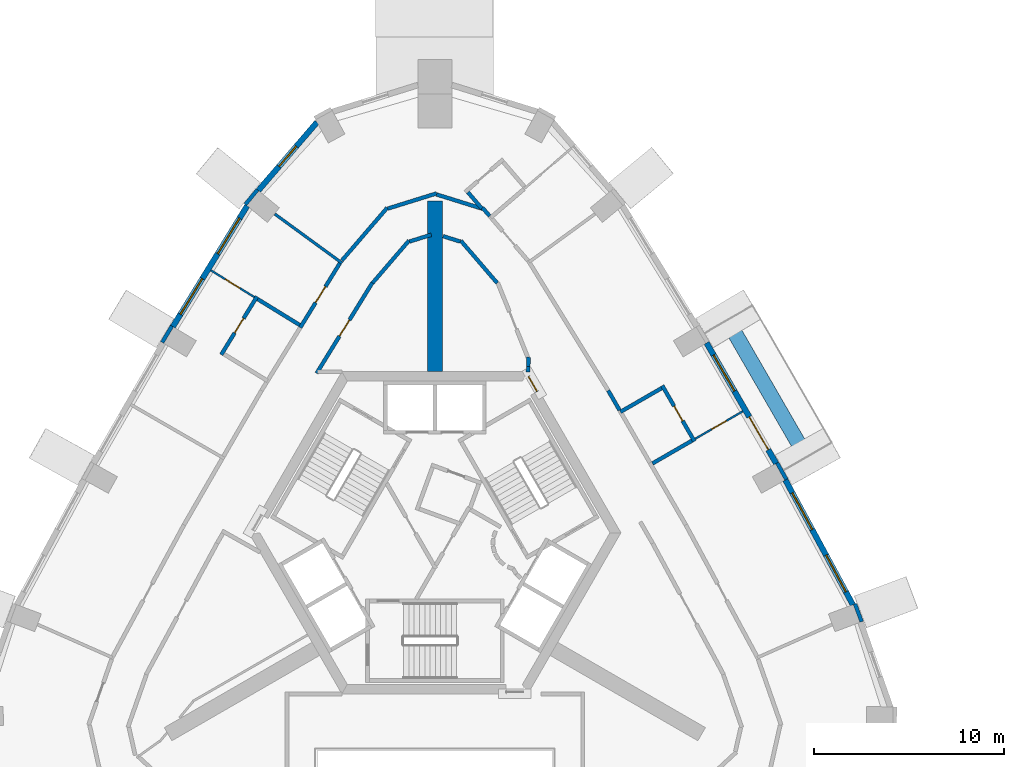
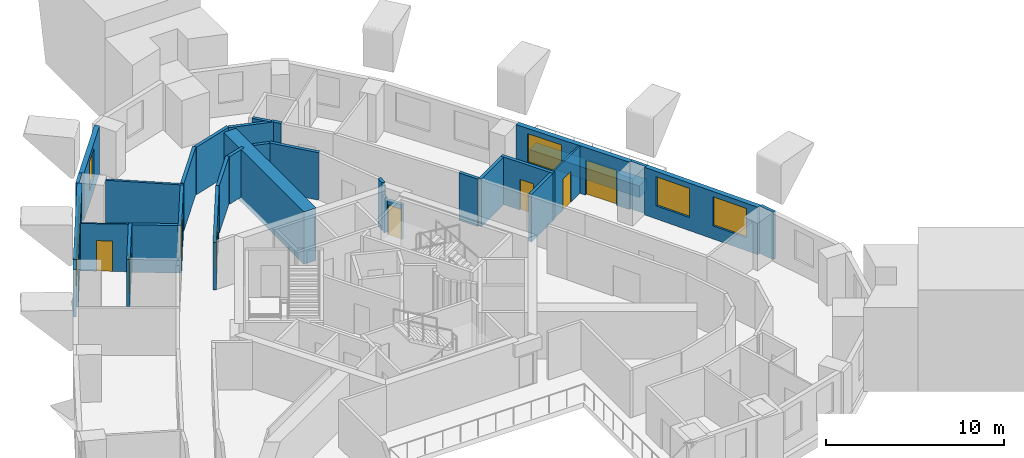
# One storey, part 7 of 11: 33 walls, 8 doors, 6 windows, 14 openings.
"""IFC4 building model written with IfcOpenShell, lengths in metres."""

from ifc_helpers import new_model, si_unit, direction, frame, frame_2d, origin, place, context, subcontext, project, spatial, rectangle, extrude, material, layer, layer_set, type_object, element, fill, save


model = new_model("IFC4")

# Units and contexts
model_context = context("Model", 3, precision=1e-05, world=origin(), true_north=direction((0.0, 1.0)))
body_context = subcontext(model_context, "Body", "Model", "MODEL_VIEW")
ifc_project = project(units=[si_unit("LENGTHUNIT", "METRE"), si_unit("AREAUNIT", "SQUARE_METRE"), si_unit("VOLUMEUNIT", "CUBIC_METRE"), si_unit("PLANEANGLEUNIT", "RADIAN"), si_unit("MASSUNIT", "GRAM", prefix="KILO")], contexts=[model_context])

# Site, building, storey
site_placement = place(None, origin())
site = spatial("IfcSite", under=ifc_project, at=site_placement, CompositionType="ELEMENT")
building_placement = place(site_placement, origin())
building = spatial("IfcBuilding", under=site, at=building_placement, Name="Entoto Arch Interchange Tower", CompositionType="ELEMENT")
storey_placement = place(building_placement, frame((0.0, 0.0, 318.800048828125)))
storey = spatial("IfcBuildingStorey", under=building, at=storey_placement, Name="L75", CompositionType="ELEMENT", Elevation=318.800048828125)

# Wall
ifc_material_1 = material(Name="Concrete C40/50", Category="concrete")
ifc_layer_1 = layer(ifc_material_1, 0.800048828125)
ifc_layer_set_1 = layer_set([ifc_layer_1], Name="Concrete C40/50")
wall_type_1 = type_object("IfcWallType", Name="Buttress wall 800 C40/50", PredefinedType="SHEAR", material=ifc_layer_set_1)
wall_1_placement = place(storey_placement, frame((0.0, 11.0, -0.340087890625), z_axis=(0.0, 0.0, 1.0), x_axis=(0.0, 1.0, 0.0)))
element("IfcWall", 1, at=wall_1_placement, inside=storey, type_object=wall_type_1, Name="Buttress wall N L75", PredefinedType="SHEAR", context=body_context, shape_type="SweptSolid", body=[
    extrude(rectangle(XDim=9.0, YDim=0.800048828125, at=frame_2d((4.5, 0.0))), origin(), (0.0, 0.0, 1.0), 3.60009765625),
])

# Wall, opening, door
ifc_material_2 = material(Name="Reinforced concrete C40/50", Category="concrete")
ifc_layer_2 = layer(ifc_material_2, 0.199951171875)
ifc_layer_set_2 = layer_set([ifc_layer_2], Name="Reinforced concrete C40/50")
wall_type_2 = type_object("IfcWallType", Name="CORE GAP INFILL WALL", PredefinedType="PARTITIONING", material=ifc_layer_set_2)
wall_2_placement = place(storey_placement, frame((5.39892578125, 9.947998046875, 0.0), z_axis=(0.0, 0.0, 1.0), x_axis=(-0.499882215713, 0.866093395895, 0.0)))
wall_2 = element("IfcWall", 2, at=wall_2_placement, inside=storey, type_object=wall_type_2, Name="wall:L75:gap2", PredefinedType="PARTITIONING", context=body_context, shape_type="SweptSolid", body=[
    extrude(rectangle(XDim=0.926025390625, YDim=0.199951171875, at=frame_2d((0.462890625, 0.0))), origin(), (0.0, 0.0, 1.0), 2.39990234375),
])
opening_1_placement = place(wall_2_placement, frame((0.01708984375, 0.0, 0.0)))
opening_1 = element("IfcOpeningElement", 3, at=opening_1_placement, cuts=wall_2, Name="Opening L75-D92", PredefinedType="OPENING", context=body_context, shape_type="SweptSolid", body=[
    extrude(rectangle(XDim=0.89990234375, YDim=2.10009765625, at=frame_2d((0.449951171875, 1.050048828125))), frame((0.0, 0.10986328125, 0.0), z_axis=(0.0, -1.0, 0.0), x_axis=(1.0, 0.0, 0.0)), (0.0, 0.0, 1.0), 0.219970703125),
])
ifc_material_3 = material(Name="Fire-rated Steel S235 door and frame", Category="steel")
door_type_1 = type_object("IfcDoorType", Name="DOOR FD-09 900x2100", OperationType="SINGLE_SWING_LEFT", PredefinedType="DOOR", material=ifc_material_3)
door_1_placement = place(opening_1_placement, origin())
door_1 = element("IfcDoor", 4, at=door_1_placement, inside=storey, type_object=door_type_1, Name="door:L75:gap2", OperationType="SINGLE_SWING_LEFT", OverallHeight=2.10009765625, OverallWidth=0.89990234375, PredefinedType="DOOR", context=body_context, shape_type="SweptSolid", body=[
    extrude(rectangle(XDim=0.89990234375, YDim=2.10009765625, at=frame_2d((0.449951171875, 1.050048828125))), frame((0.0, 0.02490234375, 0.0), z_axis=(0.0, -1.0, 0.0), x_axis=(1.0, 0.0, 0.0)), (0.0, 0.0, 1.0), 0.050048828125),
])
fill(opening_1, door_1)

ifc_material_4 = material(Name="Gypsum board partition on steel studs", Category="steel")
ifc_layer_3 = layer(ifc_material_4, 0.10009765625)
ifc_layer_set_3 = layer_set([ifc_layer_3], Name="Gypsum board partition on steel studs")
wall_type_3 = type_object("IfcWallType", Name="PARTITION 100", PredefinedType="PARTITIONING", material=ifc_layer_set_3)
wall_3_placement = place(storey_placement, frame((13.73291015625, 7.4560546875, 0.0), z_axis=(0.0, 0.0, 1.0), x_axis=(0.865990674793, 0.500060147554, 0.0)))
wall_3 = element("IfcWall", 5, at=wall_3_placement, inside=storey, type_object=wall_type_3, Name="wall:L75:p087", PredefinedType="PARTITIONING", context=body_context, shape_type="SweptSolid", body=[
    extrude(rectangle(XDim=2.899658203125, YDim=0.10009765625, at=frame_2d((1.44970703125, 0.0))), origin(), (0.0, 0.0, 1.0), 3.260009765625),
])
opening_2_placement = place(wall_3_placement, frame((1.0, 0.0, 0.0)))
opening_2 = element("IfcOpeningElement", 6, at=opening_2_placement, cuts=wall_3, Name="Opening L75-D05", PredefinedType="OPENING", context=body_context, shape_type="SweptSolid", body=[
    extrude(rectangle(XDim=0.89990234375, YDim=2.10009765625, at=frame_2d((0.449951171875, 1.050048828125))), frame((0.0, 0.06005859375, 0.0), z_axis=(0.0, -1.0, 0.0), x_axis=(1.0, 0.0, 0.0)), (0.0, 0.0, 1.0), 0.1201171875),
])
ifc_material_5 = material(Name="Timber door leaf in Steel S235 frame", Category="steel")
door_type_2 = type_object("IfcDoorType", Name="DOOR DS-09 900x2100", OperationType="SINGLE_SWING_LEFT", PredefinedType="DOOR", material=ifc_material_5)
door_2_placement = place(opening_2_placement, origin())
door_2 = element("IfcDoor", 7, at=door_2_placement, inside=storey, type_object=door_type_2, Name="door:L75:05", OperationType="SINGLE_SWING_LEFT", OverallHeight=2.10009765625, OverallWidth=0.89990234375, PredefinedType="DOOR", context=body_context, shape_type="SweptSolid", body=[
    extrude(rectangle(XDim=0.89990234375, YDim=2.10009765625, at=frame_2d((0.449951171875, 1.050048828125))), frame((0.0, 0.02490234375, 0.0), z_axis=(0.0, -1.0, 0.0), x_axis=(1.0, 0.0, 0.0)), (0.0, 0.0, 1.0), 0.050048828125),
])
fill(opening_2, door_2)

wall_4_placement = place(storey_placement, frame((-9.51904296875, 14.928955078125, 0.0), z_axis=(0.0, 0.0, 1.0), x_axis=(-0.851621054013, 0.524157972715, 0.0)))
wall_4 = element("IfcWall", 8, at=wall_4_placement, inside=storey, type_object=wall_type_3, Name="wall:L75:p098", PredefinedType="PARTITIONING", context=body_context, shape_type="SweptSolid", body=[
    extrude(rectangle(XDim=2.69970703125, YDim=0.10009765625, at=frame_2d((1.349853515625, 0.0))), origin(), (0.0, 0.0, 1.0), 3.260009765625),
])
opening_3_placement = place(wall_4_placement, frame((0.89990234375, 0.0, 0.0)))
opening_3 = element("IfcOpeningElement", 9, at=opening_3_placement, cuts=wall_4, Name="Opening L75-D11", PredefinedType="OPENING", context=body_context, shape_type="SweptSolid", body=[
    extrude(rectangle(XDim=0.89990234375, YDim=2.10009765625, at=frame_2d((0.449951171875, 1.050048828125))), frame((0.0, 0.06005859375, 0.0), z_axis=(0.0, -1.0, 0.0), x_axis=(1.0, 0.0, 0.0)), (0.0, 0.0, 1.0), 0.1201171875),
])
door_3_placement = place(opening_3_placement, origin())
door_3 = element("IfcDoor", 10, at=door_3_placement, inside=storey, type_object=door_type_2, Name="door:L75:11", OperationType="SINGLE_SWING_RIGHT", OverallHeight=2.10009765625, OverallWidth=0.89990234375, PredefinedType="DOOR", context=body_context, shape_type="SweptSolid", body=[
    extrude(rectangle(XDim=0.89990234375, YDim=2.10009765625, at=frame_2d((0.449951171875, 1.050048828125))), frame((0.0, 0.02490234375, 0.0), z_axis=(0.0, -1.0, 0.0), x_axis=(1.0, 0.0, 0.0)), (0.0, 0.0, 1.0), 0.050048828125),
])
fill(opening_3, door_3)

# Walls
ifc_layer_4 = layer(ifc_material_4, 0.14990234375)
ifc_layer_set_4 = layer_set([ifc_layer_4], Name="Gypsum board partition on steel studs")
wall_type_4 = type_object("IfcWallType", Name="PARTITION 150", PredefinedType="PARTITIONING", material=ifc_layer_set_4)
wall_5_placement = place(storey_placement, frame((-4.89306640625, 16.722900390625, 0.0), z_axis=(0.0, 0.0, 1.0), x_axis=(-0.807632235509, 0.589686503294, 0.0)))
element("IfcWall", 11, at=wall_5_placement, inside=storey, type_object=wall_type_4, Name="wall:L75:p097", PredefinedType="PARTITIONING", context=body_context, shape_type="SweptSolid", body=[
    extrude(rectangle(XDim=4.3955078125, YDim=0.14990234375, at=frame_2d((2.19775390625, 0.0))), origin(), (0.0, 0.0, 1.0), 3.260009765625),
])
ifc_layer_5 = layer(ifc_material_4, 0.199951171875)
ifc_layer_set_5 = layer_set([ifc_layer_5], Name="Gypsum board partition on steel studs")
wall_type_5 = type_object("IfcWallType", Name="PARTITION 200", PredefinedType="PARTITIONING", material=ifc_layer_set_5)
wall_6_placement = place(storey_placement, frame((4.916015625, 10.988037109375, 0.0), z_axis=(0.0, 0.0, 1.0), x_axis=(0.039066592023, 0.999236609311, 0.0)))
element("IfcWall", 12, at=wall_6_placement, inside=storey, type_object=wall_type_5, Name="wall:L75:p006", PredefinedType="PARTITIONING", context=body_context, shape_type="SweptSolid", body=[
    extrude(rectangle(XDim=0.28125, YDim=0.199951171875, at=frame_2d((0.140625, 0.0))), origin(), (0.0, 0.0, 1.0), 2.39990234375),
])
wall_7_placement = place(storey_placement, frame((3.2890625, 15.674072265625, 0.0), z_axis=(0.0, 0.0, 1.0), x_axis=(-0.651848676423, 0.758349064116, 0.0)))
element("IfcWall", 13, at=wall_7_placement, inside=storey, type_object=wall_type_5, Name="wall:L75:p008", PredefinedType="PARTITIONING", context=body_context, shape_type="SweptSolid", body=[
    extrude(rectangle(XDim=2.94580078125, YDim=0.199951171875, at=frame_2d((1.472900390625, 0.0))), origin(), (0.0, 0.0, 1.0), 3.260009765625),
])
wall_8_placement = place(storey_placement, frame((1.339111328125, 17.862060546875, 0.0), z_axis=(0.0, 0.0, 1.0), x_axis=(-0.954826063502, 0.297165254457, 0.0)))
element("IfcWall", 14, at=wall_8_placement, inside=storey, type_object=wall_type_5, Name="wall:L75:p009", PredefinedType="PARTITIONING", context=body_context, shape_type="SweptSolid", body=[
    extrude(rectangle(XDim=0.9521484375, YDim=0.199951171875, at=frame_2d((0.47607421875, 0.0))), origin(), (0.0, 0.0, 1.0), 3.260009765625),
])
wall_9_placement = place(storey_placement, frame((-0.18896484375, 18.219970703125, 0.0), z_axis=(0.0, 0.0, 1.0), x_axis=(-0.954836332451, -0.297132257137, 0.0)))
element("IfcWall", 15, at=wall_9_placement, inside=storey, type_object=wall_type_5, Name="wall:L75:p010", PredefinedType="PARTITIONING", context=body_context, shape_type="SweptSolid", body=[
    extrude(rectangle(XDim=1.20458984375, YDim=0.199951171875, at=frame_2d((0.602294921875, 0.0))), origin(), (0.0, 0.0, 1.0), 3.260009765625),
])
wall_10_placement = place(storey_placement, frame((-1.368896484375, 17.907958984375, 0.0), z_axis=(0.0, 0.0, 1.0), x_axis=(-0.651848676423, -0.758349064116, 0.0)))
element("IfcWall", 16, at=wall_10_placement, inside=storey, type_object=wall_type_5, Name="wall:L75:p011", PredefinedType="PARTITIONING", context=body_context, shape_type="SweptSolid", body=[
    extrude(rectangle(XDim=2.94580078125, YDim=0.199951171875, at=frame_2d((1.472900390625, 0.0))), origin(), (0.0, 0.0, 1.0), 3.260009765625),
])

# Wall, opening, door
wall_11_placement = place(storey_placement, frame((-3.301025390625, 15.68408203125, 0.0), z_axis=(0.0, 0.0, 1.0), x_axis=(-0.524004979532, -0.851715199715, 0.0)))
wall_11 = element("IfcWall", 17, at=wall_11_placement, inside=storey, type_object=wall_type_5, Name="wall:L75:p012", PredefinedType="PARTITIONING", context=body_context, shape_type="SweptSolid", body=[
    extrude(rectangle(XDim=5.599365234375, YDim=0.199951171875, at=frame_2d((2.7998046875, 0.0))), origin(), (0.0, 0.0, 1.0), 3.260009765625),
])
opening_4_placement = place(wall_11_placement, frame((2.300048828125, 0.0, 0.0)))
opening_4 = element("IfcOpeningElement", 18, at=opening_4_placement, cuts=wall_11, Name="Opening L75-D21", PredefinedType="OPENING", context=body_context, shape_type="SweptSolid", body=[
    extrude(rectangle(XDim=1.0, YDim=2.10009765625, at=frame_2d((0.5, 1.050048828125))), frame((0.0, 0.10986328125, 0.0), z_axis=(0.0, -1.0, 0.0), x_axis=(1.0, 0.0, 0.0)), (0.0, 0.0, 1.0), 0.219970703125),
])
door_type_3 = type_object("IfcDoorType", Name="DOOR DS-10 1000x2100", OperationType="SINGLE_SWING_LEFT", PredefinedType="DOOR", material=ifc_material_5)
door_4_placement = place(opening_4_placement, origin())
door_4 = element("IfcDoor", 19, at=door_4_placement, inside=storey, type_object=door_type_3, Name="door:L75:21", OperationType="SINGLE_SWING_LEFT", OverallHeight=2.10009765625, OverallWidth=1.0, PredefinedType="DOOR", context=body_context, shape_type="SweptSolid", body=[
    extrude(rectangle(XDim=1.0, YDim=2.10009765625, at=frame_2d((0.5, 1.050048828125))), frame((0.0, 0.02490234375, 0.0), z_axis=(0.0, -1.0, 0.0), x_axis=(1.0, 0.0, 0.0)), (0.0, 0.0, 1.0), 0.050048828125),
])
fill(opening_4, door_4)

# Walls
wall_12_placement = place(storey_placement, frame((9.14501953125, 10.001953125, 0.0), z_axis=(0.0, 0.0, 1.0), x_axis=(0.499798886082, -0.866141485827, 0.0)))
element("IfcWall", 20, at=wall_12_placement, inside=storey, type_object=wall_type_5, Name="wall:L75:p038", PredefinedType="PARTITIONING", context=body_context, shape_type="SweptSolid", body=[
    extrude(rectangle(XDim=1.1982421875, YDim=0.199951171875, at=frame_2d((0.59912109375, 0.0))), origin(), (0.0, 0.0, 1.0), 3.260009765625),
])
wall_13_placement = place(storey_placement, frame((-4.908935546875, 16.85791015625, 0.0), z_axis=(0.0, 0.0, 1.0), x_axis=(0.651785835936, 0.758403074937, 0.0)))
element("IfcWall", 21, at=wall_13_placement, inside=storey, type_object=wall_type_5, Name="wall:L75:p041", PredefinedType="PARTITIONING", context=body_context, shape_type="SweptSolid", body=[
    extrude(rectangle(XDim=3.677490234375, YDim=0.199951171875, at=frame_2d((1.8388671875, 0.0))), origin(), (0.0, 0.0, 1.0), 3.260009765625),
])
wall_14_placement = place(storey_placement, frame((-2.48193359375, 19.60107421875, 0.0), z_axis=(0.0, 0.0, 1.0), x_axis=(0.95482540871, 0.297167358372, 0.0)))
element("IfcWall", 22, at=wall_14_placement, inside=storey, type_object=wall_type_5, Name="wall:L75:p042", PredefinedType="PARTITIONING", context=body_context, shape_type="SweptSolid", body=[
    extrude(rectangle(XDim=2.69873046875, YDim=0.199951171875, at=frame_2d((1.349365234375, 0.0))), origin(), (0.0, 0.0, 1.0), 3.260009765625),
])
wall_15_placement = place(storey_placement, frame((0.094970703125, 20.343994140625, 0.0), z_axis=(0.0, 0.0, 1.0), x_axis=(0.954837867825, -0.297127323158, 0.0)))
element("IfcWall", 23, at=wall_15_placement, inside=storey, type_object=wall_type_5, Name="wall:L75:p043", PredefinedType="PARTITIONING", context=body_context, shape_type="SweptSolid", body=[
    extrude(rectangle(XDim=2.604736328125, YDim=0.199951171875, at=frame_2d((1.30224609375, 0.0))), origin(), (0.0, 0.0, 1.0), 3.260009765625),
])
wall_16_placement = place(storey_placement, frame((2.511962890625, 19.64697265625, 0.0), z_axis=(0.0, 0.0, 1.0), x_axis=(0.652320947019, -0.757942862016, 0.0)))
element("IfcWall", 24, at=wall_16_placement, inside=storey, type_object=wall_type_5, Name="wall:L75:p044", PredefinedType="PARTITIONING", context=body_context, shape_type="SweptSolid", body=[
    extrude(rectangle(XDim=0.577880859375, YDim=0.199951171875, at=frame_2d((0.2890625, 0.0))), origin(), (0.0, 0.0, 1.0), 3.260009765625),
])

# Wall, opening, door
wall_17_placement = place(storey_placement, frame((-7.10107421875, 13.323974609375, 0.0), z_axis=(0.0, 0.0, 1.0), x_axis=(0.52395735307, 0.851744499344, 0.0)))
wall_17 = element("IfcWall", 25, at=wall_17_placement, inside=storey, type_object=wall_type_5, Name="wall:L75:p045", PredefinedType="PARTITIONING", context=body_context, shape_type="SweptSolid", body=[
    extrude(rectangle(XDim=4.08447265625, YDim=0.199951171875, at=frame_2d((2.042236328125, 0.0))), origin(), (0.0, 0.0, 1.0), 3.260009765625),
])
opening_5_placement = place(wall_17_placement, frame((1.5419921875, 0.0, 0.0)))
opening_5 = element("IfcOpeningElement", 26, at=opening_5_placement, cuts=wall_17, Name="Opening L75-D10", PredefinedType="OPENING", context=body_context, shape_type="SweptSolid", body=[
    extrude(rectangle(XDim=1.0, YDim=2.10009765625, at=frame_2d((0.5, 1.050048828125))), frame((0.0, 0.10986328125, 0.0), z_axis=(0.0, -1.0, 0.0), x_axis=(1.0, 0.0, 0.0)), (0.0, 0.0, 1.0), 0.219970703125),
])
door_type_4 = type_object("IfcDoorType", Name="DOOR FD-10 1000x2100", OperationType="SINGLE_SWING_LEFT", PredefinedType="DOOR", material=ifc_material_3)
door_5_placement = place(opening_5_placement, origin())
door_5 = element("IfcDoor", 27, at=door_5_placement, inside=storey, type_object=door_type_4, Name="door:L75:10", OperationType="SINGLE_SWING_LEFT", OverallHeight=2.10009765625, OverallWidth=1.0, PredefinedType="DOOR", context=body_context, shape_type="SweptSolid", body=[
    extrude(rectangle(XDim=1.0, YDim=2.10009765625, at=frame_2d((0.5, 1.050048828125))), frame((0.0, 0.02490234375, 0.0), z_axis=(0.0, -1.0, 0.0), x_axis=(1.0, 0.0, 0.0)), (0.0, 0.0, 1.0), 0.050048828125),
])
fill(opening_5, door_5)

# Wall
wall_18_placement = place(storey_placement, frame((11.48095703125, 6.156005859375, 0.0), z_axis=(0.0, 0.0, 1.0), x_axis=(0.865999212041, 0.500045362686, 0.0)))
element("IfcWall", 28, at=wall_18_placement, inside=storey, type_object=wall_type_5, Name="wall:L75:p088", PredefinedType="PARTITIONING", context=body_context, shape_type="SweptSolid", body=[
    extrude(rectangle(XDim=2.399658203125, YDim=0.199951171875, at=frame_2d((1.19970703125, 0.0))), origin(), (0.0, 0.0, 1.0), 3.260009765625),
])

# Wall, opening, door
wall_19_placement = place(storey_placement, frame((13.696044921875, 7.320068359375, 0.0), z_axis=(0.0, 0.0, 1.0), x_axis=(-0.500070584245, 0.865984648116, 0.0)))
wall_19 = element("IfcWall", 29, at=wall_19_placement, inside=storey, type_object=wall_type_5, Name="wall:L75:p089", PredefinedType="PARTITIONING", context=body_context, shape_type="SweptSolid", body=[
    extrude(rectangle(XDim=3.3994140625, YDim=0.199951171875, at=frame_2d((1.69970703125, 0.0))), origin(), (0.0, 0.0, 1.0), 3.260009765625),
])
opening_6_placement = place(wall_19_placement, frame((1.25, 0.0, 0.0)))
opening_6 = element("IfcOpeningElement", 30, at=opening_6_placement, cuts=wall_19, Name="Opening L75-D06", PredefinedType="OPENING", context=body_context, shape_type="SweptSolid", body=[
    extrude(rectangle(XDim=0.89990234375, YDim=2.10009765625, at=frame_2d((0.449951171875, 1.050048828125))), frame((0.0, 0.10986328125, 0.0), z_axis=(0.0, -1.0, 0.0), x_axis=(1.0, 0.0, 0.0)), (0.0, 0.0, 1.0), 0.219970703125),
])
door_6_placement = place(opening_6_placement, origin())
door_6 = element("IfcDoor", 31, at=door_6_placement, inside=storey, type_object=door_type_2, Name="door:L75:06", OperationType="SINGLE_SWING_LEFT", OverallHeight=2.10009765625, OverallWidth=0.89990234375, PredefinedType="DOOR", context=body_context, shape_type="SweptSolid", body=[
    extrude(rectangle(XDim=0.89990234375, YDim=2.10009765625, at=frame_2d((0.449951171875, 1.050048828125))), frame((0.0, 0.02490234375, 0.0), z_axis=(0.0, -1.0, 0.0), x_axis=(1.0, 0.0, 0.0)), (0.0, 0.0, 1.0), 0.050048828125),
])
fill(opening_6, door_6)

# Walls
wall_20_placement = place(storey_placement, frame((11.958984375, 10.126953125, 0.0), z_axis=(0.0, 0.0, 1.0), x_axis=(-0.866022959057, -0.500004234368, 0.0)))
element("IfcWall", 32, at=wall_20_placement, inside=storey, type_object=wall_type_5, Name="wall:L75:p090", PredefinedType="PARTITIONING", context=body_context, shape_type="SweptSolid", body=[
    extrude(rectangle(XDim=2.5, YDim=0.199951171875, at=frame_2d((1.25, 0.0))), origin(), (0.0, 0.0, 1.0), 3.260009765625),
])
wall_21_placement = place(storey_placement, frame((1.742919921875, 20.465087890625, 0.0), z_axis=(0.0, 0.0, 1.0), x_axis=(0.65174176003, -0.758440952371, 0.0)))
element("IfcWall", 33, at=wall_21_placement, inside=storey, type_object=wall_type_5, Name="wall:L75:p096", PredefinedType="PARTITIONING", context=body_context, shape_type="SweptSolid", body=[
    extrude(rectangle(XDim=1.141845703125, YDim=0.199951171875, at=frame_2d((0.57080078125, 0.0))), origin(), (0.0, 0.0, 1.0), 3.260009765625),
])
wall_22_placement = place(storey_placement, frame((-7.134033203125, 13.4619140625, 0.0), z_axis=(0.0, 0.0, 1.0), x_axis=(-0.851713135301, 0.524008335007, 0.0)))
element("IfcWall", 34, at=wall_22_placement, inside=storey, type_object=wall_type_5, Name="wall:L75:p099", PredefinedType="PARTITIONING", context=body_context, shape_type="SweptSolid", body=[
    extrude(rectangle(XDim=2.599365234375, YDim=0.199951171875, at=frame_2d((1.2998046875, 0.0))), origin(), (0.0, 0.0, 1.0), 3.260009765625),
])

# Wall, opening, door
wall_23_placement = place(storey_placement, frame((-9.381103515625, 14.9619140625, 0.0), z_axis=(0.0, 0.0, 1.0), x_axis=(-0.524146612914, -0.851628045669, 0.0)))
wall_23 = element("IfcWall", 35, at=wall_23_placement, inside=storey, type_object=wall_type_5, Name="wall:L75:p100", PredefinedType="PARTITIONING", context=body_context, shape_type="SweptSolid", body=[
    extrude(rectangle(XDim=3.60009765625, YDim=0.199951171875, at=frame_2d((1.800048828125, 0.0))), origin(), (0.0, 0.0, 1.0), 3.260009765625),
])
opening_7_placement = place(wall_23_placement, frame((1.35009765625, 0.0, 0.0)))
opening_7 = element("IfcOpeningElement", 36, at=opening_7_placement, cuts=wall_23, Name="Opening L75-D12", PredefinedType="OPENING", context=body_context, shape_type="SweptSolid", body=[
    extrude(rectangle(XDim=0.89990234375, YDim=2.10009765625, at=frame_2d((0.449951171875, 1.050048828125))), frame((0.0, 0.10986328125, 0.0), z_axis=(0.0, -1.0, 0.0), x_axis=(1.0, 0.0, 0.0)), (0.0, 0.0, 1.0), 0.219970703125),
])
door_7_placement = place(opening_7_placement, origin())
door_7 = element("IfcDoor", 37, at=door_7_placement, inside=storey, type_object=door_type_2, Name="door:L75:12", OperationType="SINGLE_SWING_RIGHT", OverallHeight=2.10009765625, OverallWidth=0.89990234375, PredefinedType="DOOR", context=body_context, shape_type="SweptSolid", body=[
    extrude(rectangle(XDim=0.89990234375, YDim=2.10009765625, at=frame_2d((0.449951171875, 1.050048828125))), frame((0.0, 0.02490234375, 0.0), z_axis=(0.0, -1.0, 0.0), x_axis=(1.0, 0.0, 0.0)), (0.0, 0.0, 1.0), 0.050048828125),
])
fill(opening_7, door_7)

# Walls
wall_24_placement = place(storey_placement, frame((4.927001953125, 11.26904296875, 0.0), z_axis=(0.0, 0.0, 1.0), x_axis=(0.038834659047, 0.999245650106, 0.0)))
element("IfcWall", 38, at=wall_24_placement, inside=storey, type_object=wall_type_5, Name="wall:L75:p006", PredefinedType="PARTITIONING", context=body_context, shape_type="SweptSolid", body=[
    extrude(rectangle(XDim=0.490478515625, YDim=0.199951171875, at=frame_2d((0.2451171875, 0.0))), origin(), (0.0, 0.0, 1.0), 3.260009765625),
])
ifc_material_6 = material(Name="Board-marked precast concrete C50/60", Category="concrete")
ifc_layer_6 = layer(ifc_material_6, 0.800048828125)
ifc_layer_set_6 = layer_set([ifc_layer_6], Name="Board-marked precast concrete C50/60")
wall_type_6 = type_object("IfcWallType", Name="PLANTER RC 800 Olea europaea subsp. cuspidata", PredefinedType="STANDARD", material=ifc_layer_set_6)
wall_25_placement = place(storey_placement, frame((19.298095703125, 7.01708984375, 0.0), z_axis=(0.0, 0.0, 1.0), x_axis=(-0.50009711543, 0.865969326904, 0.0)))
element("IfcWall", 39, at=wall_25_placement, inside=storey, type_object=wall_type_6, Name="Planter NE-02 L75", PredefinedType="STANDARD", context=body_context, shape_type="SweptSolid", body=[
    extrude(rectangle(XDim=7.14453125, YDim=0.800048828125, at=frame_2d((3.572265625, 0.0))), origin(), (0.0, 0.0, 1.0), 0.800048828125),
])

# Wall, openings, windows
ifc_material_7 = material(Name="Welded tuff (ignimbrite) cladding, warm buff", Category="masonry")
ifc_layer_7 = layer(ifc_material_7, 0.300048828125)
ifc_layer_set_7 = layer_set([ifc_layer_7], Name="Welded tuff (ignimbrite) cladding, warm buff")
wall_type_7 = type_object("IfcWallType", Name="STONE INFILL WALL 300", PredefinedType="STANDARD", material=ifc_layer_set_7)
wall_26_placement = place(storey_placement, frame((22.052001953125, -1.298095703125, 0.0), z_axis=(0.0, 0.0, 1.0), x_axis=(-0.475690331633, 0.879612817319, 0.0)))
wall_26 = element("IfcWall", 40, at=wall_26_placement, inside=storey, type_object=wall_type_7, Name="Facade wall NE-01 L75", PredefinedType="STANDARD", context=body_context, shape_type="SweptSolid", body=[
    extrude(rectangle(XDim=7.48388671875, YDim=0.300048828125, at=frame_2d((3.741943359375, 0.0))), origin(), (0.0, 0.0, 1.0), 3.260009765625),
])
opening_8_placement = place(wall_26_placement, frame((0.77099609375, 0.0, 0.89990234375)))
opening_8 = element("IfcOpeningElement", 41, at=opening_8_placement, cuts=wall_26, Name="Opening WH-A", PredefinedType="OPENING", context=body_context, shape_type="SweptSolid", body=[
    extrude(rectangle(XDim=2.199951171875, YDim=2.0, at=frame_2d((1.10009765625, 1.0))), frame((0.0, 0.16015625, 0.0), z_axis=(0.0, -1.0, 0.0), x_axis=(1.0, 0.0, 0.0)), (0.0, 0.0, 1.0), 0.320068359375),
])
opening_9_placement = place(wall_26_placement, frame((4.512939453125, 0.0, 0.89990234375)))
opening_9 = element("IfcOpeningElement", 42, at=opening_9_placement, cuts=wall_26, Name="Opening WH-A", PredefinedType="OPENING", context=body_context, shape_type="SweptSolid", body=[
    extrude(rectangle(XDim=2.199951171875, YDim=2.0, at=frame_2d((1.10009765625, 1.0))), frame((0.0, 0.16015625, 0.0), z_axis=(0.0, -1.0, 0.0), x_axis=(1.0, 0.0, 0.0)), (0.0, 0.0, 1.0), 0.320068359375),
])
ifc_material_8 = material(Name="Clear glass, low-e double glazed", Category="glass")
window_type_1 = type_object("IfcWindowType", Name="WINDOW WH-A 2200x2000", PartitioningType="DOUBLE_PANEL_VERTICAL", PredefinedType="WINDOW", material=ifc_material_8)
window_1_placement = place(opening_8_placement, origin())
window_1 = element("IfcWindow", 43, at=window_1_placement, inside=storey, type_object=window_type_1, Name="Window WH-A NE-01 L75", OverallHeight=2.0, OverallWidth=2.199951171875, PartitioningType="SINGLE_PANEL", PredefinedType="WINDOW", context=body_context, shape_type="SweptSolid", body=[
    extrude(rectangle(XDim=2.199951171875, YDim=2.0, at=frame_2d((1.10009765625, 1.0))), frame((0.0, 0.030029296875, 0.0), z_axis=(0.0, -1.0, 0.0), x_axis=(1.0, 0.0, 0.0)), (0.0, 0.0, 1.0), 0.06005859375),
])
fill(opening_8, window_1)
window_2_placement = place(opening_9_placement, origin())
window_2 = element("IfcWindow", 44, at=window_2_placement, inside=storey, type_object=window_type_1, Name="Window WH-A NE-01 L75", OverallHeight=2.0, OverallWidth=2.199951171875, PartitioningType="SINGLE_PANEL", PredefinedType="WINDOW", context=body_context, shape_type="SweptSolid", body=[
    extrude(rectangle(XDim=2.199951171875, YDim=2.0, at=frame_2d((1.10009765625, 1.0))), frame((0.0, 0.030029296875, 0.0), z_axis=(0.0, -1.0, 0.0), x_axis=(1.0, 0.0, 0.0)), (0.0, 0.0, 1.0), 0.06005859375),
])
fill(opening_9, window_2)

# Wall, openings, door, window
wall_27_placement = place(storey_placement, frame((18.0048828125, 6.156005859375, 0.0), z_axis=(0.0, 0.0, 1.0), x_axis=(-0.499958474759, 0.866049377066, 0.0)))
wall_27 = element("IfcWall", 45, at=wall_27_placement, inside=storey, type_object=wall_type_7, Name="Facade wall NE-02 L75", PredefinedType="STANDARD", context=body_context, shape_type="SweptSolid", body=[
    extrude(rectangle(XDim=7.34228515625, YDim=0.300048828125, at=frame_2d((3.671142578125, 0.0))), origin(), (0.0, 0.0, 1.0), 3.260009765625),
])
opening_10_placement = place(wall_27_placement, frame((0.8359375, 0.0, 0.0)))
opening_10 = element("IfcOpeningElement", 46, at=opening_10_placement, cuts=wall_27, Name="Opening DB-NE-02-L75", PredefinedType="OPENING", context=body_context, shape_type="SweptSolid", body=[
    extrude(rectangle(XDim=2.0, YDim=2.39990234375, at=frame_2d((1.0, 1.199951171875))), frame((0.0, 0.16015625, 0.0), z_axis=(0.0, -1.0, 0.0), x_axis=(1.0, 0.0, 0.0)), (0.0, 0.0, 1.0), 0.320068359375),
])
opening_11_placement = place(wall_27_placement, frame((4.406982421875, 0.0, 0.89990234375)))
opening_11 = element("IfcOpeningElement", 47, at=opening_11_placement, cuts=wall_27, Name="Opening WH-A", PredefinedType="OPENING", context=body_context, shape_type="SweptSolid", body=[
    extrude(rectangle(XDim=2.199951171875, YDim=2.0, at=frame_2d((1.10009765625, 1.0))), frame((0.0, 0.16015625, 0.0), z_axis=(0.0, -1.0, 0.0), x_axis=(1.0, 0.0, 0.0)), (0.0, 0.0, 1.0), 0.320068359375),
])
ifc_material_9 = material(Name="Aluminium and clear glass, anodised", Category="aluminium")
door_type_5 = type_object("IfcDoorType", Name="BALCONY DOOR DB 2000x2400", OperationType="SLIDING_TO_LEFT", PredefinedType="DOOR", material=ifc_material_9)
door_8_placement = place(opening_10_placement, origin())
door_8 = element("IfcDoor", 48, at=door_8_placement, inside=storey, type_object=door_type_5, Name="Balcony door NE-02 L75", OperationType="SLIDING_TO_LEFT", OverallHeight=2.39990234375, OverallWidth=2.0, PredefinedType="DOOR", context=body_context, shape_type="SweptSolid", body=[
    extrude(rectangle(XDim=2.0, YDim=2.39990234375, at=frame_2d((1.0, 1.199951171875))), frame((0.0, 0.02490234375, 0.0), z_axis=(0.0, -1.0, 0.0), x_axis=(1.0, 0.0, 0.0)), (0.0, 0.0, 1.0), 0.050048828125),
])
fill(opening_10, door_8)
window_3_placement = place(opening_11_placement, origin())
window_3 = element("IfcWindow", 49, at=window_3_placement, inside=storey, type_object=window_type_1, Name="Window WH-A NE-02 L75", OverallHeight=2.0, OverallWidth=2.199951171875, PartitioningType="SINGLE_PANEL", PredefinedType="WINDOW", context=body_context, shape_type="SweptSolid", body=[
    extrude(rectangle(XDim=2.199951171875, YDim=2.0, at=frame_2d((1.10009765625, 1.0))), frame((0.0, 0.030029296875, 0.0), z_axis=(0.0, -1.0, 0.0), x_axis=(1.0, 0.0, 0.0)), (0.0, 0.0, 1.0), 0.06005859375),
])
fill(opening_11, window_3)

# Wall, opening, window
wall_28_placement = place(storey_placement, frame((-6.218994140625, 24.156005859375, 0.0), z_axis=(0.0, 0.0, 1.0), x_axis=(-0.651684474108, -0.758490175419, 0.0)))
wall_28 = element("IfcWall", 50, at=wall_28_placement, inside=storey, type_object=wall_type_7, Name="Facade wall N-04 L75", PredefinedType="STANDARD", context=body_context, shape_type="SweptSolid", body=[
    extrude(rectangle(XDim=4.747802734375, YDim=0.300048828125, at=frame_2d((2.3740234375, 0.0))), origin(), (0.0, 0.0, 1.0), 3.260009765625),
])
opening_12_placement = place(wall_28_placement, frame((1.674072265625, 0.0, 0.89990234375)))
opening_12 = element("IfcOpeningElement", 51, at=opening_12_placement, cuts=wall_28, Name="Opening WH-B", PredefinedType="OPENING", context=body_context, shape_type="SweptSolid", body=[
    extrude(rectangle(XDim=1.39990234375, YDim=2.0, at=frame_2d((0.699951171875, 1.0))), frame((0.0, 0.16015625, 0.0), z_axis=(0.0, -1.0, 0.0), x_axis=(1.0, 0.0, 0.0)), (0.0, 0.0, 1.0), 0.320068359375),
])
window_type_2 = type_object("IfcWindowType", Name="WINDOW WH-B 1400x2000", PartitioningType="DOUBLE_PANEL_VERTICAL", PredefinedType="WINDOW", material=ifc_material_8)
window_4_placement = place(opening_12_placement, origin())
window_4 = element("IfcWindow", 52, at=window_4_placement, inside=storey, type_object=window_type_2, Name="Window WH-B N-04 L75", OverallHeight=2.0, OverallWidth=1.39990234375, PartitioningType="SINGLE_PANEL", PredefinedType="WINDOW", context=body_context, shape_type="SweptSolid", body=[
    extrude(rectangle(XDim=1.39990234375, YDim=2.0, at=frame_2d((0.699951171875, 1.0))), frame((0.0, 0.030029296875, 0.0), z_axis=(0.0, -1.0, 0.0), x_axis=(1.0, 0.0, 0.0)), (0.0, 0.0, 1.0), 0.06005859375),
])
fill(opening_12, window_4)

# Wall, openings, windows
wall_29_placement = place(storey_placement, frame((-9.90087890625, 19.7470703125, 0.0), z_axis=(0.0, 0.0, 1.0), x_axis=(-0.524004608874, -0.851715427757, 0.0)))
wall_29 = element("IfcWall", 53, at=wall_29_placement, inside=storey, type_object=wall_type_7, Name="Facade wall NW-01 L75", PredefinedType="STANDARD", context=body_context, shape_type="SweptSolid", body=[
    extrude(rectangle(XDim=7.48486328125, YDim=0.300048828125, at=frame_2d((3.742431640625, 0.0))), origin(), (0.0, 0.0, 1.0), 3.260009765625),
])
opening_13_placement = place(wall_29_placement, frame((0.77099609375, 0.0, 0.89990234375)))
opening_13 = element("IfcOpeningElement", 54, at=opening_13_placement, cuts=wall_29, Name="Opening WH-A", PredefinedType="OPENING", context=body_context, shape_type="SweptSolid", body=[
    extrude(rectangle(XDim=2.199951171875, YDim=2.0, at=frame_2d((1.10009765625, 1.0))), frame((0.0, 0.16015625, 0.0), z_axis=(0.0, -1.0, 0.0), x_axis=(1.0, 0.0, 0.0)), (0.0, 0.0, 1.0), 0.320068359375),
])
opening_14_placement = place(wall_29_placement, frame((4.513916015625, 0.0, 0.89990234375)))
opening_14 = element("IfcOpeningElement", 55, at=opening_14_placement, cuts=wall_29, Name="Opening WH-A", PredefinedType="OPENING", context=body_context, shape_type="SweptSolid", body=[
    extrude(rectangle(XDim=2.199951171875, YDim=2.0, at=frame_2d((1.10009765625, 1.0))), frame((0.0, 0.16015625, 0.0), z_axis=(0.0, -1.0, 0.0), x_axis=(1.0, 0.0, 0.0)), (0.0, 0.0, 1.0), 0.320068359375),
])
window_5_placement = place(opening_13_placement, origin())
window_5 = element("IfcWindow", 56, at=window_5_placement, inside=storey, type_object=window_type_1, Name="Window WH-A NW-01 L75", OverallHeight=2.0, OverallWidth=2.199951171875, PartitioningType="SINGLE_PANEL", PredefinedType="WINDOW", context=body_context, shape_type="SweptSolid", body=[
    extrude(rectangle(XDim=2.199951171875, YDim=2.0, at=frame_2d((1.10009765625, 1.0))), frame((0.0, 0.030029296875, 0.0), z_axis=(0.0, -1.0, 0.0), x_axis=(1.0, 0.0, 0.0)), (0.0, 0.0, 1.0), 0.06005859375),
])
fill(opening_13, window_5)
window_6_placement = place(opening_14_placement, origin())
window_6 = element("IfcWindow", 57, at=window_6_placement, inside=storey, type_object=window_type_1, Name="Window WH-A NW-01 L75", OverallHeight=2.0, OverallWidth=2.199951171875, PartitioningType="SINGLE_PANEL", PredefinedType="WINDOW", context=body_context, shape_type="SweptSolid", body=[
    extrude(rectangle(XDim=2.199951171875, YDim=2.0, at=frame_2d((1.10009765625, 1.0))), frame((0.0, 0.030029296875, 0.0), z_axis=(0.0, -1.0, 0.0), x_axis=(1.0, 0.0, 0.0)), (0.0, 0.0, 1.0), 0.06005859375),
])
fill(opening_14, window_6)

# Walls
ifc_layer_8 = layer(ifc_material_7, 0.199951171875)
ifc_layer_set_8 = layer_set([ifc_layer_8], Name="Welded tuff (ignimbrite) cladding, warm buff")
wall_type_8 = type_object("IfcWallType", Name="STONE PIER CLADDING 200", PredefinedType="STANDARD", material=ifc_layer_set_8)
wall_30_placement = place(storey_placement, frame((22.514892578125, -2.19091796875, 0.0), z_axis=(0.0, 0.0, 1.0), x_axis=(-0.350962844851, 0.936389385637, 0.0)))
element("IfcWall", 58, at=wall_30_placement, inside=storey, type_object=wall_type_8, Name="Stone pier NE01 L75", PredefinedType="STANDARD", context=body_context, shape_type="SweptSolid", body=[
    extrude(rectangle(XDim=0.99951171875, YDim=0.199951171875, at=frame_2d((0.499755859375, 0.0))), origin(), (0.0, 0.0, 1.0), 3.260009765625),
])
wall_31_placement = place(storey_placement, frame((18.5419921875, 5.31103515625, 0.0), z_axis=(0.0, 0.0, 1.0), x_axis=(-0.486036693078, 0.873938403425, 0.0)))
element("IfcWall", 59, at=wall_31_placement, inside=storey, type_object=wall_type_8, Name="Stone pier NE02 L75", PredefinedType="STANDARD", context=body_context, shape_type="SweptSolid", body=[
    extrude(rectangle(XDim=1.0, YDim=0.199951171875, at=frame_2d((0.5, 0.0))), origin(), (0.0, 0.0, 1.0), 3.260009765625),
])
for number, where, z_axis, x_axis, name in (
    (60, (-9.35888671875, 20.593994140625, 0.0), (0.0, 0.0, 1.0), (-0.635998056672, -0.771690658172, 0.0), "Stone pier NW01 L75"),
    (61, (-13.8701171875, 13.402099609375, 0.0), (0.0, 0.0, 1.0), (-0.513777707721, -0.857923345672, 0.0), "Stone pier NW02 L75"),
):
    element("IfcWall", number, at=place(storey_placement, frame(where, z_axis=z_axis, x_axis=x_axis)), inside=storey, type_object=wall_type_8, Name=name, PredefinedType="STANDARD", context=body_context, shape_type="SweptSolid", body=[
        extrude(rectangle(XDim=1.000244140625, YDim=0.199951171875, at=frame_2d((0.5, 0.0))), origin(), (0.0, 0.0, 1.0), 3.260009765625),
    ])

save(model, "model.ifc")
